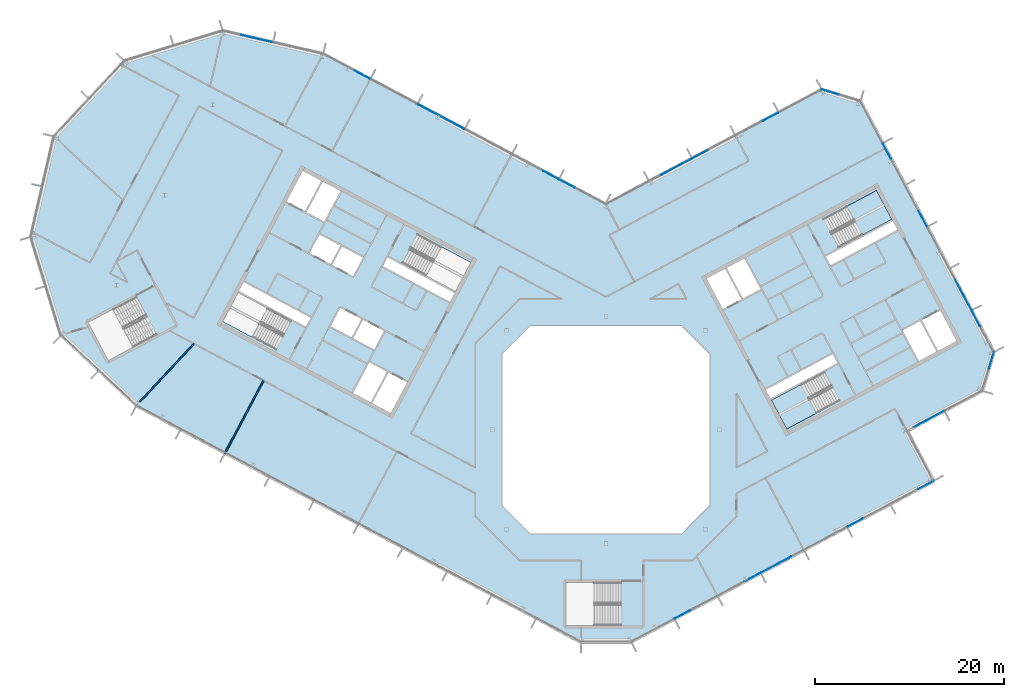
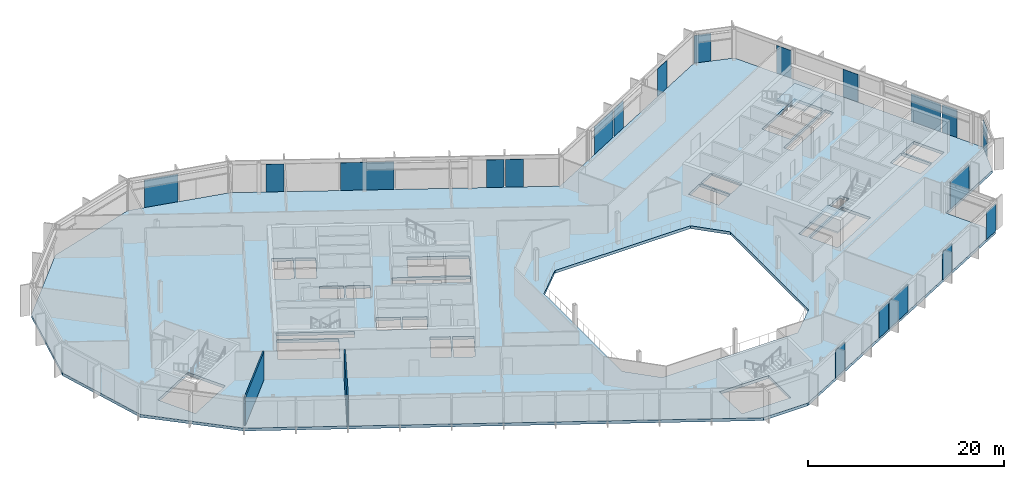
# One storey, part 12 of 26: 20 plates, 3 slabs, 2 walls, 10 elements without a shape of their own.
"""IFC4 building model written with IfcOpenShell, lengths in metres."""

import ifcopenshell
import ifcopenshell.guid

model = None  # the IFC model being written
_history = None  # IfcOwnerHistory: only IFC2X3 demands one
_inside = {}  # id of a spatial element -> (the spatial element, [elements in it])
_under = {}  # id of a project, library or spatial element -> (it, [spatial elements below it])
_declared = {}  # id of a project -> (the project, [libraries it declares])
_typed = {}  # id of a type object -> (the type object, [elements of that type])
_made_of = {}  # id of a material, layer set ... -> (it, [elements and type objects made of it])


def new_model(schema):
    """Start an empty IFC model of exactly this schema.

    Asked for "IFC4X3", IfcOpenShell would pick the latest addendum, in which some entities
    have other attributes; the version numbers below select the first issue.
    IFC2X3 requires an IfcOwnerHistory on every rooted entity: one is made here for all.
    """
    global model, _history
    if schema == "IFC4X3":
        model = ifcopenshell.file(schema_version=(4, 3, 0, 0))
    else:
        model = ifcopenshell.file(schema=schema)
    _inside.clear()
    _under.clear()
    _declared.clear()
    _typed.clear()
    _made_of.clear()
    _history = None
    if model.schema == "IFC2X3":
        org = make("IfcOrganization", Name="unknown")
        user = make(
            "IfcPersonAndOrganization",
            ThePerson=make("IfcPerson", FamilyName="unknown"),
            TheOrganization=org,
        )
        app = make(
            "IfcApplication",
            ApplicationDeveloper=org,
            Version="unknown",
            ApplicationFullName="unknown",
            ApplicationIdentifier="unknown",
        )
        _history = make(
            "IfcOwnerHistory",
            OwningUser=user,
            OwningApplication=app,
            ChangeAction="ADDED",
            CreationDate=0,
        )
    return model


def make(cls, **values):
    """One entity of the class cls with the attributes given. An attribute that is None is left unset."""
    return model.create_entity(
        cls, **{name: value for name, value in values.items() if value is not None}
    )


def rooted(cls, **values):
    """An entity with a GlobalId (a new one), such as an element, a storey or a relation."""
    return make(cls, GlobalId=ifcopenshell.guid.new(), OwnerHistory=_history, **values)


def si_unit(unit_type, name, prefix=None):
    """IfcSIUnit, for example si_unit("LENGTHUNIT", "METRE", prefix="MILLI")."""
    return make("IfcSIUnit", UnitType=unit_type, Prefix=prefix, Name=name)


def assignment(units):
    """IfcUnitAssignment: the units of a project."""
    return None if units is None else make("IfcUnitAssignment", Units=units)


def point(xyz):
    """IfcCartesianPoint."""
    return None if xyz is None else make("IfcCartesianPoint", Coordinates=xyz)


def direction(xyz):
    """IfcDirection."""
    return None if xyz is None else make("IfcDirection", DirectionRatios=xyz)


def frame(location, z_axis=None, x_axis=None):
    """IfcAxis2Placement3D, a coordinate frame: its origin and axes. An axis left out is left unset."""
    return make(
        "IfcAxis2Placement3D",
        Location=point(location),
        Axis=direction(z_axis),
        RefDirection=direction(x_axis),
    )


def frame_2d(location, x_axis=None):
    """IfcAxis2Placement2D, a coordinate frame in the plane: its origin and x axis."""
    return make(
        "IfcAxis2Placement2D", Location=point(location), RefDirection=direction(x_axis)
    )


def origin():
    """The frame at (0, 0, 0) with its axes left unset."""
    return frame((0.0, 0.0, 0.0))


def origin_2d():
    """The frame at (0, 0) in the plane with its x axis left unset."""
    return frame_2d((0.0, 0.0))


def place(relative_to, where):
    """IfcLocalPlacement: puts the frame where relative to a parent placement (None: the world)."""
    return make(
        "IfcLocalPlacement", PlacementRelTo=relative_to, RelativePlacement=where
    )


def context(
    kind, dimensions, precision=None, world=None, true_north=None, identifier=None
):
    """IfcGeometricRepresentationContext, for example the 3D "Model" context."""
    return make(
        "IfcGeometricRepresentationContext",
        ContextIdentifier=identifier,
        ContextType=kind,
        CoordinateSpaceDimension=dimensions,
        Precision=precision,
        WorldCoordinateSystem=world,
        TrueNorth=true_north,
    )


def subcontext(parent, identifier, kind, view, scale=None):
    """IfcGeometricRepresentationSubContext, for example "Body" below "Model"."""
    return make(
        "IfcGeometricRepresentationSubContext",
        ContextIdentifier=identifier,
        ContextType=kind,
        ParentContext=parent,
        TargetScale=scale,
        TargetView=view,
    )


def project(units=None, contexts=None):
    """IfcProject with its units and contexts."""
    return rooted(
        "IfcProject",
        Name="project",
        RepresentationContexts=contexts,
        UnitsInContext=assignment(units),
    )


def spatial(cls, under=None, at=None, **own):
    """A site, building, storey or space (cls), placed at a placement, below another one or the project."""
    s = rooted(cls, ObjectPlacement=at, **own)
    if under is not None:
        _under.setdefault(under.id(), (under, []))[1].append(s)
    return s


def polyline(points):
    """IfcPolyline through the points."""
    return make("IfcPolyline", Points=[point(p) for p in points])


def profile(cls, at=None, kind="AREA", **sizes):
    """A parametric profile (cls). Its sizes go by their IFC names, for example OverallWidth=200.0."""
    return make(cls, ProfileType=kind, Position=at, **sizes)


def rectangle(**sizes):
    """IfcRectangleProfileDef."""
    return profile("IfcRectangleProfileDef", **sizes)


def outline(outer, holes=None, kind="AREA"):
    """IfcArbitraryClosedProfileDef: a profile drawn as a closed curve; with holes, ...WithVoids."""
    if holes is None:
        return make("IfcArbitraryClosedProfileDef", ProfileType=kind, OuterCurve=outer)
    return make(
        "IfcArbitraryProfileDefWithVoids",
        ProfileType=kind,
        OuterCurve=outer,
        InnerCurves=holes,
    )


def extrude(swept, where, along, depth):
    """IfcExtrudedAreaSolid: the profile swept, set in the frame where, extruded along a direction by depth."""
    return make(
        "IfcExtrudedAreaSolid",
        SweptArea=swept,
        Position=where,
        ExtrudedDirection=direction(along),
        Depth=depth,
    )


def shape(context_of_items, identifier, shape_type, items):
    """IfcShapeRepresentation: the items that make up one representation, for example the "Body"."""
    return make(
        "IfcShapeRepresentation",
        ContextOfItems=context_of_items,
        RepresentationIdentifier=identifier,
        RepresentationType=shape_type,
        Items=items,
    )


def material(Name=None, Category=None):
    """IfcMaterial."""
    return make("IfcMaterial", Name=Name, Category=Category)


def layer(
    of_material, thickness, ventilated=None, Name=None, Category=None, Priority=None
):
    """IfcMaterialLayer: one layer of a wall or slab, of a material (None: an air gap)."""
    return make(
        "IfcMaterialLayer",
        Material=of_material,
        LayerThickness=thickness,
        IsVentilated=ventilated,
        Name=Name,
        Category=Category,
        Priority=Priority,
    )


def layer_set(layers, Name=None):
    """IfcMaterialLayerSet."""
    return make("IfcMaterialLayerSet", MaterialLayers=layers, LayerSetName=Name)


def made_of(thing, what):
    """Note that an element or type object is made of a material, layer set ...; save() writes the relation."""
    if what is not None:
        _made_of.setdefault(what.id(), (what, []))[1].append(thing)
    return thing


def type_object(cls, material=None, **own):
    """A type object (cls), such as IfcWallType, which elements share."""
    return made_of(rooted(cls, **own), material)


def element(
    cls,
    number,
    at=None,
    inside=None,
    cuts=None,
    type_object=None,
    material=None,
    context=None,
    identifier="Body",
    shape_type=None,
    held_by="IfcProductDefinitionShape",
    body=None,
    shapes=None,
    **own,
):
    """One element of the class cls, such as IfcWall. Its Tag is "e" and its number.

    at: its placement. inside: the storey or other place that contains it. cuts: it is an
    opening in that element (IfcRelVoidsElement). A single representation is given by context,
    identifier, shape_type and body (its items); several are given by shapes. held_by: the class
    of the entity that holds the representations. save() writes the other relations.
    """
    e = rooted(cls, Tag="e%d" % number, ObjectPlacement=at, **own)
    if body is not None:
        shapes = [shape(context, identifier, shape_type, body)]
    if shapes is not None:
        e.Representation = make(held_by, Representations=shapes)
    if inside is not None:
        _inside.setdefault(inside.id(), (inside, []))[1].append(e)
    if cuts is not None:
        rooted(
            "IfcRelVoidsElement", RelatingBuildingElement=cuts, RelatedOpeningElement=e
        )
    if type_object is not None:
        _typed.setdefault(type_object.id(), (type_object, []))[1].append(e)
    return made_of(e, material)


def aggregate(whole, parts):
    """IfcRelAggregates: a whole, such as a stair, and the parts it consists of."""
    return rooted("IfcRelAggregates", RelatingObject=whole, RelatedObjects=parts)


def save(model, path):
    """Write the relations noted so far, then the file.

    IfcRelAggregates (storeys below a building ...), IfcRelContainedInSpatialStructure (elements
    in a storey), IfcRelDefinesByType, IfcRelAssociatesMaterial and IfcRelDeclares: one each for
    every whole, place, type object, material and project.
    """
    for whole, parts in _under.values():
        aggregate(whole, parts)
    for where, things in _inside.values():
        rooted(
            "IfcRelContainedInSpatialStructure",
            RelatedElements=things,
            RelatingStructure=where,
        )
    for kind, things in _typed.values():
        rooted("IfcRelDefinesByType", RelatedObjects=things, RelatingType=kind)
    for what, things in _made_of.values():
        rooted("IfcRelAssociatesMaterial", RelatedObjects=things, RelatingMaterial=what)
    for by, libraries in _declared.values():
        rooted("IfcRelDeclares", RelatingContext=by, RelatedDefinitions=libraries)
    model.write(path)


model = new_model("IFC4")

# Units and contexts
model_context = context("Model", 3, precision=1e-05, world=origin(), true_north=direction((0.0, 1.0)))
body_context = subcontext(model_context, "Body", "Model", "MODEL_VIEW")
ifc_project = project(units=[si_unit("LENGTHUNIT", "METRE"), si_unit("AREAUNIT", "SQUARE_METRE"), si_unit("VOLUMEUNIT", "CUBIC_METRE"), si_unit("PLANEANGLEUNIT", "RADIAN"), si_unit("MASSUNIT", "GRAM", prefix="KILO")], contexts=[model_context])

# Site, building, storey
site_placement = place(None, origin())
site = spatial("IfcSite", under=ifc_project, at=site_placement, CompositionType="ELEMENT")
building_placement = place(site_placement, origin())
building = spatial("IfcBuilding", under=site, at=building_placement, Name="Cormorant Relay Tower", CompositionType="ELEMENT")
storey_placement = place(building_placement, frame((0.0, 0.0, 300.89990234375)))
storey = spatial("IfcBuildingStorey", under=building, at=storey_placement, Name="L68", CompositionType="ELEMENT", Elevation=300.89990234375)

# Curtain wall, plates
ifc_material_1 = material(Name="Aluminium 6063-T6 anodised bronze", Category="aluminium")
ifc_layer_1 = layer(ifc_material_1, 0.199951171875)
ifc_layer_set_1 = layer_set([ifc_layer_1], Name="CW1 unitised bronze curtain wall with vertical fins")
curtain_wall_type = type_object("IfcCurtainWallType", Name="CW1 unitised bronze curtain wall with vertical fins", PredefinedType="NOTDEFINED", material=ifc_layer_set_1)
curtain_wall_1_placement = place(storey_placement, origin())
curtain_wall_1 = element("IfcCurtainWall", 1, at=curtain_wall_1_placement, inside=storey, type_object=curtain_wall_type, Name="CW1 curtain wall 2", PredefinedType="NOTDEFINED")
ifc_material_2 = material(Name="Tinted laminated glass", Category="glass")
ifc_layer_2 = layer(ifc_material_2, 0.0400390625)
ifc_layer_set_2 = layer_set([ifc_layer_2], Name="CW1 tinted vision panel 1800 module")
plate_type_1 = type_object("IfcPlateType", Name="CW1 tinted vision panel 1800 module", PredefinedType="CURTAIN_PANEL", material=ifc_layer_set_2)
plate_1_placement = place(storey_placement, frame((8.080810546875, -19.510009765625, 0.0), z_axis=(0.0, 0.0, 1.0), x_axis=(0.882947592859, 0.469471562786, 0.0)))
plate_1 = element("IfcPlate", 2, at=plate_1_placement, type_object=plate_type_1, Name="CW1 panel V01", PredefinedType="CURTAIN_PANEL", context=body_context, shape_type="SweptSolid", body=[
    extrude(rectangle(XDim=1.800048828125, YDim=0.0400390625, at=origin_2d()), origin(), (0.0, 0.0, 1.0), 3.449951171875),
])
plate_2_placement = place(storey_placement, frame((15.48291015625, -15.57421875, 0.0), z_axis=(0.0, 0.0, 1.0), x_axis=(0.882947592859, 0.469471562786, 0.0)))
plate_2 = element("IfcPlate", 3, at=plate_2_placement, type_object=plate_type_1, Name="CW1 panel V03", PredefinedType="CURTAIN_PANEL", context=body_context, shape_type="SweptSolid", body=[
    extrude(rectangle(XDim=1.800048828125, YDim=0.0400390625, at=origin_2d()), origin(), (0.0, 0.0, 1.0), 3.449951171875),
])
plate_3_placement = place(storey_placement, frame((26.328125, -9.8076171875, 0.0), z_axis=(0.0, 0.0, 1.0), x_axis=(0.882947592859, 0.469471562786, 0.0)))
plate_3 = element("IfcPlate", 4, at=plate_3_placement, type_object=plate_type_1, Name="CW1 panel V06", PredefinedType="CURTAIN_PANEL", context=body_context, shape_type="SweptSolid", body=[
    extrude(rectangle(XDim=1.800048828125, YDim=0.0400390625, at=origin_2d()), origin(), (0.0, 0.0, 1.0), 3.449951171875),
])
plate_4_placement = place(storey_placement, frame((33.796142578125, -5.8369140625, 0.0), z_axis=(0.0, 0.0, 1.0), x_axis=(0.882947592859, 0.469471562786, 0.0)))
plate_4 = element("IfcPlate", 5, at=plate_4_placement, type_object=plate_type_1, Name="CW1 panel V08", PredefinedType="CURTAIN_PANEL", context=body_context, shape_type="SweptSolid", body=[
    extrude(rectangle(XDim=1.800048828125, YDim=0.0400390625, at=origin_2d()), origin(), (0.0, 0.0, 1.0), 3.449951171875),
])

# Curtain wall, plate
curtain_wall_2_placement = place(storey_placement, origin())
curtain_wall_2 = element("IfcCurtainWall", 6, at=curtain_wall_2_placement, inside=storey, type_object=curtain_wall_type, Name="CW1 curtain wall 5", PredefinedType="NOTDEFINED")
plate_5_placement = place(storey_placement, frame((40.70751953125, 7.31689453125, 0.0), z_axis=(0.0, 0.0, 1.0), x_axis=(0.292371704723, 0.956304755963, 0.0)))
plate_5 = element("IfcPlate", 7, at=plate_5_placement, type_object=plate_type_1, Name="CW1 panel V01", PredefinedType="CURTAIN_PANEL", context=body_context, shape_type="SweptSolid", body=[
    extrude(rectangle(XDim=1.800048828125, YDim=0.0400390625, at=origin_2d()), origin(), (0.0, 0.0, 1.0), 3.449951171875),
])
aggregate(curtain_wall_2, [plate_5])

# Curtain wall, plates
curtain_wall_3_placement = place(storey_placement, origin())
curtain_wall_3 = element("IfcCurtainWall", 8, at=curtain_wall_3_placement, inside=storey, type_object=curtain_wall_type, Name="CW1 curtain wall 6", PredefinedType="NOTDEFINED")
plate_6_placement = place(storey_placement, frame((39.07958984375, 11.74658203125, 0.0), z_axis=(0.0, 0.0, 1.0), x_axis=(-0.469471562786, 0.882947592859, 0.0)))
plate_6 = element("IfcPlate", 9, at=plate_6_placement, type_object=plate_type_1, Name="CW1 panel V01", PredefinedType="CURTAIN_PANEL", context=body_context, shape_type="SweptSolid", body=[
    extrude(rectangle(XDim=1.800048828125, YDim=0.0400390625, at=origin_2d()), origin(), (0.0, 0.0, 1.0), 3.449951171875),
])
plate_7_placement = place(storey_placement, frame((33.469482421875, 22.298095703125, 0.0), z_axis=(0.0, 0.0, 1.0), x_axis=(-0.469471562786, 0.882947592859, 0.0)))
plate_7 = element("IfcPlate", 10, at=plate_7_placement, type_object=plate_type_1, Name="CW1 panel V04", PredefinedType="CURTAIN_PANEL", context=body_context, shape_type="SweptSolid", body=[
    extrude(rectangle(XDim=1.800048828125, YDim=0.0400390625, at=origin_2d()), origin(), (0.0, 0.0, 1.0), 3.449951171875),
])
plate_8_placement = place(storey_placement, frame((29.690185546875, 29.40576171875, 0.0), z_axis=(0.0, 0.0, 1.0), x_axis=(-0.469471562786, 0.882947592859, 0.0)))
plate_8 = element("IfcPlate", 11, at=plate_8_placement, type_object=plate_type_1, Name="CW1 panel V06", PredefinedType="CURTAIN_PANEL", context=body_context, shape_type="SweptSolid", body=[
    extrude(rectangle(XDim=1.800048828125, YDim=0.0400390625, at=origin_2d()), origin(), (0.0, 0.0, 1.0), 3.449951171875),
])

# Curtain wall, plate
curtain_wall_4_placement = place(storey_placement, origin())
curtain_wall_4 = element("IfcCurtainWall", 12, at=curtain_wall_4_placement, inside=storey, type_object=curtain_wall_type, Name="CW1 curtain wall 7", PredefinedType="NOTDEFINED")
plate_9_placement = place(storey_placement, frame((23.6767578125, 35.668212890625, 0.0), z_axis=(0.0, 0.0, 1.0), x_axis=(-0.956304755963, 0.292371704723, 0.0)))
plate_9 = element("IfcPlate", 13, at=plate_9_placement, type_object=plate_type_1, Name="CW1 panel V01", PredefinedType="CURTAIN_PANEL", context=body_context, shape_type="SweptSolid", body=[
    extrude(rectangle(XDim=1.800048828125, YDim=0.0400390625, at=origin_2d()), origin(), (0.0, 0.0, 1.0), 3.449951171875),
])
aggregate(curtain_wall_4, [plate_9])

# Curtain wall, plates
curtain_wall_5_placement = place(storey_placement, origin())
curtain_wall_5 = element("IfcCurtainWall", 14, at=curtain_wall_5_placement, inside=storey, type_object=curtain_wall_type, Name="CW1 curtain wall 8", PredefinedType="NOTDEFINED")
plate_10_placement = place(storey_placement, frame((17.3779296875, 33.046630859375, 0.0), z_axis=(0.0, 0.0, 1.0), x_axis=(-0.882947592859, -0.469471562786, 0.0)))
plate_10 = element("IfcPlate", 15, at=plate_10_placement, type_object=plate_type_1, Name="CW1 panel V01", PredefinedType="CURTAIN_PANEL", context=body_context, shape_type="SweptSolid", body=[
    extrude(rectangle(XDim=1.800048828125, YDim=0.0400390625, at=origin_2d()), origin(), (0.0, 0.0, 1.0), 3.449951171875),
])
plate_11_placement = place(storey_placement, frame((9.9755859375, 29.110595703125, 0.0), z_axis=(0.0, 0.0, 1.0), x_axis=(-0.882947592859, -0.469471562786, 0.0)))
plate_11 = element("IfcPlate", 16, at=plate_11_placement, type_object=plate_type_1, Name="CW1 panel V03", PredefinedType="CURTAIN_PANEL", context=body_context, shape_type="SweptSolid", body=[
    extrude(rectangle(XDim=1.800048828125, YDim=0.0400390625, at=origin_2d()), origin(), (0.0, 0.0, 1.0), 3.449951171875),
])

curtain_wall_6_placement = place(storey_placement, origin())
curtain_wall_6 = element("IfcCurtainWall", 17, at=curtain_wall_6_placement, inside=storey, type_object=curtain_wall_type, Name="CW1 curtain wall 9", PredefinedType="NOTDEFINED")
plate_12_placement = place(storey_placement, frame((-4.108642578125, 25.9912109375, 0.0), z_axis=(0.0, 0.0, 1.0), x_axis=(-0.882947592859, 0.469471562786, 0.0)))
plate_12 = element("IfcPlate", 18, at=plate_12_placement, type_object=plate_type_1, Name="CW1 panel V01", PredefinedType="CURTAIN_PANEL", context=body_context, shape_type="SweptSolid", body=[
    extrude(rectangle(XDim=1.800048828125, YDim=0.0400390625, at=origin_2d()), origin(), (0.0, 0.0, 1.0), 3.449951171875),
])
plate_13_placement = place(storey_placement, frame((-5.830322265625, 26.90673828125, 0.0), z_axis=(0.0, 0.0, 1.0), x_axis=(-0.882947592859, 0.469471562786, 0.0)))
plate_13 = element("IfcPlate", 19, at=plate_13_placement, type_object=plate_type_1, Name="CW1 panel V02", PredefinedType="CURTAIN_PANEL", context=body_context, shape_type="SweptSolid", body=[
    extrude(rectangle(XDim=1.800048828125, YDim=0.0400390625, at=origin_2d()), origin(), (0.0, 0.0, 1.0), 3.449951171875),
])
plate_14_placement = place(storey_placement, frame((-25.746337890625, 37.49609375, 0.0), z_axis=(0.0, 0.0, 1.0), x_axis=(-0.882947592859, 0.469471562786, 0.0)))
plate_14 = element("IfcPlate", 20, at=plate_14_placement, type_object=plate_type_1, Name="CW1 panel V06", PredefinedType="CURTAIN_PANEL", context=body_context, shape_type="SweptSolid", body=[
    extrude(rectangle(XDim=1.800048828125, YDim=0.0400390625, at=origin_2d()), origin(), (0.0, 0.0, 1.0), 3.449951171875),
])

# Plate
ifc_material_3 = material(Name="Tinted laminated glass", Category="glass")
ifc_layer_3 = layer(ifc_material_3, 0.0400390625)
ifc_layer_set_3 = layer_set([ifc_layer_3], Name="CW1 tinted vision panel 3600 module")
plate_type_2 = type_object("IfcPlateType", Name="CW1 tinted vision panel 3600 module", PredefinedType="CURTAIN_PANEL", material=ifc_layer_set_3)
plate_15_placement = place(storey_placement, frame((17.999267578125, -14.236328125, 0.0), z_axis=(0.0, 0.0, 1.0), x_axis=(0.882947592859, 0.469471562786, 0.0)))
plate_15 = element("IfcPlate", 21, at=plate_15_placement, type_object=plate_type_2, Name="CW1 panel V04", PredefinedType="CURTAIN_PANEL", context=body_context, shape_type="SweptSolid", body=[
    extrude(rectangle(XDim=3.60009765625, YDim=0.0400390625, at=origin_2d()), origin(), (0.0, 0.0, 1.0), 3.449951171875),
])

aggregate(curtain_wall_1, [plate_1, plate_2, plate_15, plate_3, plate_4])

# Curtain wall, plate
curtain_wall_7_placement = place(storey_placement, origin())
curtain_wall_7 = element("IfcCurtainWall", 22, at=curtain_wall_7_placement, inside=storey, type_object=curtain_wall_type, Name="CW1 curtain wall 4", PredefinedType="NOTDEFINED")
plate_16_placement = place(storey_placement, frame((34.091796875, 1.11572265625, 0.0), z_axis=(0.0, 0.0, 1.0), x_axis=(0.882947592859, 0.469471562786, 0.0)))
plate_16 = element("IfcPlate", 23, at=plate_16_placement, type_object=plate_type_2, Name="CW1 panel V01", PredefinedType="CURTAIN_PANEL", context=body_context, shape_type="SweptSolid", body=[
    extrude(rectangle(XDim=3.60009765625, YDim=0.0400390625, at=origin_2d()), origin(), (0.0, 0.0, 1.0), 3.449951171875),
])
aggregate(curtain_wall_7, [plate_16])

# Plate
plate_17_placement = place(storey_placement, frame((37.74169921875, 14.26318359375, 0.0), z_axis=(0.0, 0.0, 1.0), x_axis=(-0.469471562786, 0.882947592859, 0.0)))
plate_17 = element("IfcPlate", 24, at=plate_17_placement, type_object=plate_type_2, Name="CW1 panel V02", PredefinedType="CURTAIN_PANEL", context=body_context, shape_type="SweptSolid", body=[
    extrude(rectangle(XDim=3.60009765625, YDim=0.0400390625, at=origin_2d()), origin(), (0.0, 0.0, 1.0), 3.449951171875),
])

aggregate(curtain_wall_3, [plate_6, plate_17, plate_7, plate_8])

plate_18_placement = place(storey_placement, frame((7.458984375, 27.772705078125, 0.0), z_axis=(0.0, 0.0, 1.0), x_axis=(-0.882947592859, -0.469471562786, 0.0)))
plate_18 = element("IfcPlate", 25, at=plate_18_placement, type_object=plate_type_2, Name="CW1 panel V04", PredefinedType="CURTAIN_PANEL", context=body_context, shape_type="SweptSolid", body=[
    extrude(rectangle(XDim=3.60009765625, YDim=0.0400390625, at=origin_2d()), origin(), (0.0, 0.0, 1.0), 3.449951171875),
])

aggregate(curtain_wall_5, [plate_10, plate_11, plate_18])

# Curtain wall, plate
curtain_wall_8_placement = place(storey_placement, origin())
curtain_wall_8 = element("IfcCurtainWall", 26, at=curtain_wall_8_placement, inside=storey, type_object=curtain_wall_type, Name="CW1 curtain wall 10", PredefinedType="NOTDEFINED")
plate_19_placement = place(storey_placement, frame((-36.9921875, 41.33203125, 0.0), z_axis=(0.0, 0.0, 1.0), x_axis=(-0.974370064785, 0.224951054344, 0.0)))
plate_19 = element("IfcPlate", 27, at=plate_19_placement, type_object=plate_type_2, Name="CW1 panel V02", PredefinedType="CURTAIN_PANEL", context=body_context, shape_type="SweptSolid", body=[
    extrude(rectangle(XDim=3.60009765625, YDim=0.0400390625, at=origin_2d()), origin(), (0.0, 0.0, 1.0), 3.449951171875),
])
aggregate(curtain_wall_8, [plate_19])

# Plate
ifc_material_4 = material(Name="Tinted laminated glass", Category="glass")
ifc_layer_4 = layer(ifc_material_4, 0.0400390625)
ifc_layer_set_4 = layer_set([ifc_layer_4], Name="CW1 tinted vision panel 5400 module")
plate_type_3 = type_object("IfcPlateType", Name="CW1 tinted vision panel 5400 module", PredefinedType="CURTAIN_PANEL", material=ifc_layer_set_4)
plate_20_placement = place(storey_placement, frame((-17.4169921875, 33.0673828125, 0.0), z_axis=(0.0, 0.0, 1.0), x_axis=(-0.882947592859, 0.469471562786, 0.0)))
plate_20 = element("IfcPlate", 28, at=plate_20_placement, type_object=plate_type_3, Name="CW1 panel V04", PredefinedType="CURTAIN_PANEL", context=body_context, shape_type="SweptSolid", body=[
    extrude(rectangle(XDim=5.489013671875, YDim=0.0400390625, at=origin_2d()), origin(), (0.0, 0.0, 1.0), 3.449951171875),
])

aggregate(curtain_wall_6, [plate_12, plate_13, plate_20, plate_14])

# Stair, slab
ifc_material_5 = material(Name="Concrete 40 MPa", Category="concrete")
stair_type = type_object("IfcStairType", Name="Exit stair 1500", PredefinedType="HALF_TURN_STAIR", material=ifc_material_5)
stair_1_placement = place(storey_placement, origin())
stair_1 = element("IfcStair", 29, at=stair_1_placement, inside=storey, type_object=stair_type, Name="L68 Stair", PredefinedType="HALF_TURN_STAIR")
ifc_material_6 = material(Name="Concrete 40 MPa", Category="concrete")
ifc_layer_5 = layer(ifc_material_6, 0.199951171875)
ifc_layer_set_5 = layer_set([ifc_layer_5], Name="Exit stair landing 200")
slab_type_1 = type_object("IfcSlabType", Name="Exit stair landing 200", PredefinedType="LANDING", material=ifc_layer_set_5)
slab_1_placement = place(storey_placement, frame((0.0, 0.0, 1.75)))
slab_1 = element("IfcSlab", 30, at=slab_1_placement, type_object=slab_type_1, Name="B1 landing 1", PredefinedType="LANDING", context=body_context, shape_type="SweptSolid", body=[
    extrude(outline(polyline([(20.614990234375, 4.78857421875), (17.48046875, 3.1220703125), (19.10009765625, 0.075927734375), (22.234619140625, 1.742431640625), (20.614990234375, 4.78857421875)])), origin(), (0.0, 0.0, 1.0), 0.2001953125),
])
aggregate(stair_1, [slab_1])

stair_2_placement = place(storey_placement, origin())
stair_2 = element("IfcStair", 31, at=stair_2_placement, inside=storey, type_object=stair_type, Name="L68 Stair", PredefinedType="HALF_TURN_STAIR")
slab_2_placement = place(storey_placement, frame((0.0, 0.0, 1.75)))
slab_2 = element("IfcSlab", 32, at=slab_2_placement, type_object=slab_type_1, Name="B2 landing 1", PredefinedType="LANDING", context=body_context, shape_type="SweptSolid", body=[
    extrude(outline(polyline([(27.064208984375, 20.562744140625), (30.19873046875, 22.2294921875), (28.5791015625, 25.275634765625), (25.444580078125, 23.60888671875), (27.064208984375, 20.562744140625)])), origin(), (0.0, 0.0, 1.0), 0.2001953125),
])
aggregate(stair_2, [slab_2])

# Slab
ifc_material_7 = material(Name="Concrete 40 MPa", Category="concrete")
ifc_layer_6 = layer(ifc_material_7, 0.360107421875)
ifc_layer_set_6 = layer_set([ifc_layer_6], Name="Flat plate 360")
slab_type_2 = type_object("IfcSlabType", Name="Flat plate 360", PredefinedType="FLOOR", material=ifc_layer_set_6)
slab_3_placement = place(storey_placement, frame((0.0, 0.0, -0.35986328125)))
element("IfcSlab", 33, at=slab_3_placement, inside=storey, type_object=slab_type_2, Name="Floor slab L68", PredefinedType="FLOOR", context=body_context, shape_type="SweptSolid", body=[
    extrude(outline(polyline([(-60.7197265625, 20.393310546875), (-58.2744140625, 30.985107421875), (-50.86083984375, 38.935302734375), (-40.465576171875, 42.11328125), (-29.873779296875, 39.668212890625), (0.0, 23.783935546875), (22.810302734375, 35.912353515625), (26.867431640625, 34.671875), (40.95166015625, 8.18359375), (39.711181640625, 4.126220703125), (31.7646484375, -0.09912109375), (34.581298828125, -5.396728515625), (2.648681640625, -22.37548828125), (-2.648681640625, -22.37548828125), (-49.591552734375, 2.584228515625), (-57.541748046875, 9.997802734375), (-60.7197265625, 20.393310546875)]), holes=[polyline([(11.0, -8.0), (11.0, 8.0), (8.0, 11.0), (-8.0, 11.0), (-11.0, 8.0), (-11.0, -8.0), (-8.0, -11.0), (8.0, -11.0), (11.0, -8.0)]), polyline([(-22.95458984375, 6.03271484375), (-24.668212890625, 2.81005859375), (-22.725830078125, 1.777099609375), (-21.01220703125, 5.0), (-23.04296875, 6.07958984375), (-22.95458984375, 6.03271484375)]), polyline([(-24.985595703125, 7.112548828125), (-26.69921875, 3.889892578125), (-24.844970703125, 2.90380859375), (-23.13134765625, 6.126708984375), (-23.04296875, 6.07958984375), (-24.985595703125, 7.112548828125)]), polyline([(-24.481201171875, 8.48681640625), (-23.448486328125, 10.42919921875), (-25.656005859375, 11.602783203125), (-26.688720703125, 9.660400390625), (-24.481201171875, 8.48681640625)]), polyline([(-49.57861328125, 14.0537109375), (-54.69970703125, 11.330810546875), (-52.563720703125, 7.3134765625), (-47.442626953125, 10.036376953125), (-49.57861328125, 14.0537109375)]), polyline([(-25.83251953125, 11.69677734375), (-28.039794921875, 12.870361328125), (-29.07275390625, 10.927978515625), (-26.865234375, 9.75439453125), (-25.83251953125, 11.69677734375)]), polyline([(-38.847900390625, 14.483154296875), (-40.46728515625, 11.43701171875), (-34.860595703125, 8.455810546875), (-33.240966796875, 11.502197265625), (-38.847900390625, 14.483154296875)]), polyline([(-38.260986328125, 15.5869140625), (-38.75390625, 14.659912109375), (-31.690185546875, 10.904052734375), (-31.197265625, 11.8310546875), (-38.260986328125, 15.5869140625)]), polyline([(-26.702880859375, 16.23681640625), (-25.670166015625, 18.17919921875), (-27.87744140625, 19.35302734375), (-28.910400390625, 17.410400390625), (-26.702880859375, 16.23681640625)]), polyline([(-31.294189453125, 18.677978515625), (-29.0869140625, 17.50439453125), (-28.053955078125, 19.447021484375), (-30.261474609375, 20.62060546875), (-31.294189453125, 18.677978515625)]), polyline([(-31.611572265625, 22.980712890625), (-29.75732421875, 21.99462890625), (-28.043701171875, 25.217529296875), (-29.89794921875, 26.203369140625), (-31.611572265625, 22.980712890625)]), polyline([(-32.01708984375, 27.330078125), (-33.73046875, 24.107421875), (-31.7880859375, 23.074462890625), (-30.074462890625, 26.29736328125), (-32.01708984375, 27.330078125)]), polyline([(-4.199951171875, -16.125), (-4.199951171875, -20.675048828125), (1.60009765625, -20.675048828125), (1.60009765625, -16.125), (-4.199951171875, -16.125)]), polyline([(17.48046875, 3.1220703125), (19.10009765625, 0.07568359375), (24.706787109375, 3.056884765625), (23.087158203125, 6.10302734375), (17.48046875, 3.1220703125)]), polyline([(17.386474609375, 3.298583984375), (24.4501953125, 7.054443359375), (23.957275390625, 7.9814453125), (16.8935546875, 4.2255859375), (17.386474609375, 3.298583984375)]), polyline([(33.197021484375, 11.478515625), (31.3427734375, 10.49267578125), (33.056396484375, 7.27001953125), (34.910400390625, 8.255859375), (33.197021484375, 11.478515625)]), polyline([(33.37353515625, 11.572509765625), (35.087158203125, 8.349609375), (37.029541015625, 9.382568359375), (35.31591796875, 12.605224609375), (33.37353515625, 11.572509765625)]), polyline([(14.3056640625, 13.779052734375), (12.592041015625, 17.001708984375), (10.649658203125, 15.968994140625), (12.36328125, 12.74609375), (14.39404296875, 13.825927734375), (14.3056640625, 13.779052734375)]), polyline([(16.33642578125, 14.85888671875), (14.622802734375, 18.08154296875), (12.768798828125, 17.095703125), (14.482421875, 13.872802734375), (14.39404296875, 13.825927734375), (16.33642578125, 14.85888671875)]), polyline([(-16.481689453125, 13.520263671875), (-15.989013671875, 14.447509765625), (-23.052490234375, 18.203125), (-23.54541015625, 17.276123046875), (-16.481689453125, 13.520263671875)]), polyline([(-15.89501953125, 14.6240234375), (-14.275390625, 17.670166015625), (-19.882080078125, 20.6513671875), (-21.501708984375, 17.605224609375), (-15.89501953125, 14.6240234375)]), polyline([(30.78564453125, 21.125732421875), (30.29248046875, 22.052978515625), (23.22900390625, 18.297119140625), (23.721923828125, 17.3701171875), (30.78564453125, 21.125732421875)]), polyline([(24.592041015625, 19.248291015625), (30.19873046875, 22.2294921875), (28.5791015625, 25.275634765625), (22.972412109375, 22.29443359375), (24.592041015625, 19.248291015625)])]), origin(), (0.0, 0.0, 1.0), 0.35986328125),
])

# Walls
ifc_material_8 = material(Name="Gypsum board partition")
ifc_layer_7 = layer(ifc_material_8, 0.14990234375)
ifc_layer_set_7 = layer_set([ifc_layer_7], Name="Tenant partition 150")
wall_type = type_object("IfcWallType", Name="Tenant partition 150", PredefinedType="PARTITIONING", material=ifc_layer_set_7)
wall_1_placement = place(storey_placement, frame((-43.51904296875, 9.095947265625, 0.0), z_axis=(0.0, 0.0, 1.0), x_axis=(-0.682006444307, -0.731346162856, 0.0)))
element("IfcWall", 34, at=wall_1_placement, inside=storey, type_object=wall_type, Name="wall/L68/part/006", PredefinedType="PARTITIONING", context=body_context, shape_type="SweptSolid", body=[
    extrude(rectangle(XDim=8.4267578125, YDim=0.14990234375, at=frame_2d((4.21337890625, 0.0))), origin(), (0.0, 0.0, 1.0), 3.5400390625),
])
wall_2_placement = place(storey_placement, frame((-36.166015625, 5.18603515625, 0.0), z_axis=(0.0, 0.0, 1.0), x_axis=(-0.469445946219, -0.882961212952, 0.0)))
element("IfcWall", 35, at=wall_2_placement, inside=storey, type_object=wall_type, Name="wall/L68/part/007", PredefinedType="PARTITIONING", context=body_context, shape_type="SweptSolid", body=[
    extrude(rectangle(XDim=8.800048828125, YDim=0.14990234375, at=frame_2d((4.39990234375, 0.0))), origin(), (0.0, 0.0, 1.0), 3.5400390625),
])

save(model, "model.ifc")
